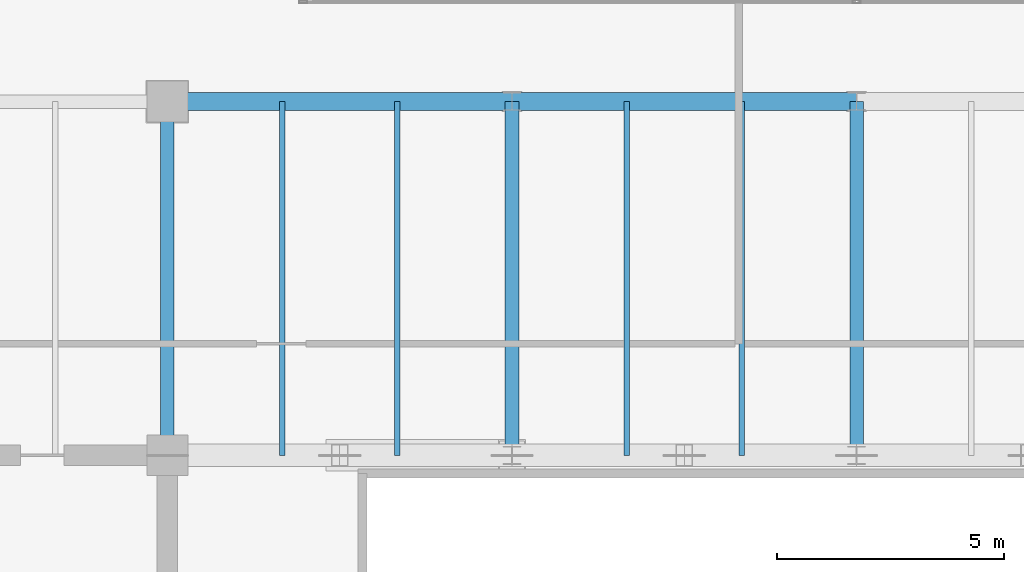
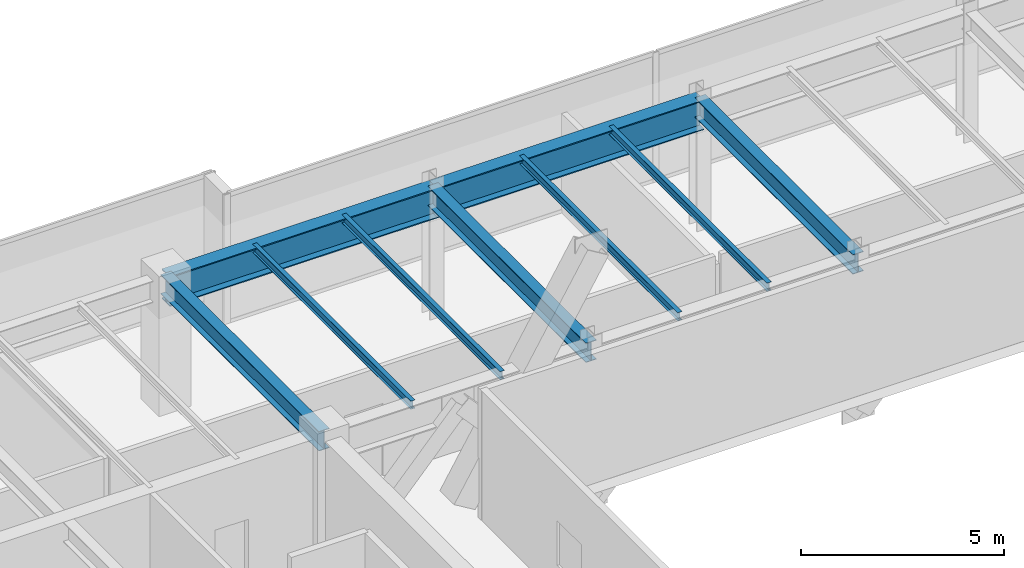
# One storey, part 20 of 32: 9 beams.
"""IFC4 building model written with IfcOpenShell, lengths in metres."""

from ifc_helpers import new_model, si_unit, direction, frame, origin, origin_2d, place, context, subcontext, project, spatial, i_section, extrude, source, transform, mapped, material, material_profile, profile_set, type_object, type_shapes, element, save


model = new_model("IFC4")

# Units and contexts
model_context = context("Model", 3, precision=1e-05, world=origin(), true_north=direction((0.0, 1.0)))
body_context = subcontext(model_context, "Body", "Model", "MODEL_VIEW")
ifc_project = project(units=[si_unit("LENGTHUNIT", "METRE"), si_unit("AREAUNIT", "SQUARE_METRE"), si_unit("VOLUMEUNIT", "CUBIC_METRE"), si_unit("PLANEANGLEUNIT", "RADIAN"), si_unit("MASSUNIT", "GRAM", prefix="KILO")], contexts=[model_context])

# Site, building, storey
site_placement = place(None, origin())
site = spatial("IfcSite", under=ifc_project, at=site_placement, CompositionType="ELEMENT")
building_placement = place(site_placement, origin())
building = spatial("IfcBuilding", under=site, at=building_placement, Name="Haelvirn Gate Laboratories", CompositionType="ELEMENT")
storey_placement = place(building_placement, frame((0.0, 0.0, 306.0)))
storey = spatial("IfcBuildingStorey", under=building, at=storey_placement, Name="L73", CompositionType="ELEMENT", Elevation=306.0)

# Beams
ifc_material_1 = material(Name="Steel SM420", Category="steel")
ifc_material_profile_1 = material_profile(ifc_material_1, i_section(OverallWidth=0.39990234375, OverallDepth=0.89990234375, WebThickness=0.01904296875, FlangeThickness=0.031982421875, at=origin_2d()), Name="H-900x400x19x32")
ifc_profile_set_1 = profile_set([ifc_material_profile_1], Name="Steel SM420")
beam_type_1 = type_object("IfcBeamType", Name="BM-TG-900", PredefinedType="BEAM", material=ifc_profile_set_1)
shared_shape_1 = source(origin(), body_context, "Body", "SweptSolid", [
    extrude(i_section(OverallWidth=0.39990234375, OverallDepth=0.89990234375, WebThickness=0.01904296875, FlangeThickness=0.031982421875, at=origin_2d()), origin(), (0.0, 0.0, 1.0), 7.60009765625),
])
beam_1_placement = place(storey_placement, frame((22.199951171875, 41.60009765625, 3.449951171875), z_axis=(1.0, 0.0, 0.0), x_axis=(0.0, 1.0, 0.0)))
element("IfcBeam", 1, at=beam_1_placement, inside=storey, type_object=beam_type_1, Name="L73 Primary Girder Y41.6 (22.2-29.8)", PredefinedType="BEAM", context=body_context, shape_type="MappedRepresentation", body=[
    mapped(shared_shape_1, transform((0.0, 0.0, 0.0), scale=1.0)),
])
shared_shape_2 = source(origin(), body_context, "Body", "SweptSolid", [
    extrude(i_section(OverallWidth=0.39990234375, OverallDepth=0.89990234375, WebThickness=0.01904296875, FlangeThickness=0.031982421875, at=origin_2d()), origin(), (0.0, 0.0, 1.0), 7.599853515625),
])
type_shapes(beam_type_1, [shared_shape_1, shared_shape_2])
beam_2_placement = place(storey_placement, frame((29.800048828125, 41.60009765625, 3.449951171875), z_axis=(1.0, 0.0, 0.0), x_axis=(0.0, 1.0, 0.0)))
element("IfcBeam", 2, at=beam_2_placement, inside=storey, type_object=beam_type_1, Name="L73 Primary Girder Y41.6 (29.8-37.4)", PredefinedType="BEAM", context=body_context, shape_type="MappedRepresentation", body=[
    mapped(shared_shape_2, transform((0.0, 0.0, 0.0), scale=1.0)),
])
ifc_material_2 = material(Name="Steel SM355", Category="steel")
ifc_material_profile_2 = material_profile(ifc_material_2, i_section(OverallWidth=0.300048828125, OverallDepth=0.587890625, WebThickness=0.011962890625, FlangeThickness=0.02001953125, at=origin_2d()), Name="H-588x300x12x20")
ifc_profile_set_2 = profile_set([ifc_material_profile_2], Name="Steel SM355")
beam_type_2 = type_object("IfcBeamType", Name="BM-G-588", PredefinedType="BEAM", material=ifc_profile_set_2)
shared_shape_3 = source(origin(), body_context, "Body", "SweptSolid", [
    extrude(i_section(OverallWidth=0.300048828125, OverallDepth=0.587890625, WebThickness=0.011962890625, FlangeThickness=0.02001953125, at=origin_2d()), origin(), (0.0, 0.0, 1.0), 7.800048828125),
])
type_shapes(beam_type_2, [shared_shape_3])
for number, where, z_axis, x_axis, name in (
    (3, (22.199951171875, 33.800048828125, 3.60595703125), (0.0, 1.0, 0.0), (-1.0, 0.0, 0.0), "L73 Frame Girder X22.2 (33.8-41.6)"),
    (4, (29.800048828125, 33.800048828125, 3.60595703125), (0.0, 1.0, 0.0), (-1.0, 0.0, 0.0), "L73 Frame Girder X29.8 (33.8-41.6)"),
    (5, (37.39990234375, 33.800048828125, 3.60595703125), (0.0, 1.0, 0.0), (-1.0, 0.0, 0.0), "L73 Frame Girder X37.4 (33.8-41.6)"),
):
    element("IfcBeam", number, at=place(storey_placement, frame(where, z_axis=z_axis, x_axis=x_axis)), inside=storey, type_object=beam_type_2, Name=name, PredefinedType="BEAM", context=body_context, shape_type="MappedRepresentation", body=[
        mapped(shared_shape_3, transform((0.0, 0.0, 0.0), scale=1.0)),
    ])
ifc_material_profile_3 = material_profile(ifc_material_2, i_section(OverallWidth=0.125, OverallDepth=0.25, WebThickness=0.006103515625, FlangeThickness=0.009033203125, at=origin_2d()), Name="H-250x125x6x9")
ifc_profile_set_3 = profile_set([ifc_material_profile_3], Name="Steel SM355")
beam_type_3 = type_object("IfcBeamType", Name="BM-J-250", PredefinedType="JOIST", material=ifc_profile_set_3)
shared_shape_4 = source(origin(), body_context, "Body", "SweptSolid", [
    extrude(i_section(OverallWidth=0.125, OverallDepth=0.25, WebThickness=0.006103515625, FlangeThickness=0.009033203125, at=origin_2d()), origin(), (0.0, 0.0, 1.0), 7.800048828125),
])
type_shapes(beam_type_3, [shared_shape_4])
for number, where, z_axis, x_axis, name in (
    (6, (24.72998046875, 33.800048828125, 3.77490234375), (0.0, 1.0, 0.0), (-1.0, 0.0, 0.0), "L73 Composite Lab Joist North X24.73"),
    (7, (27.27001953125, 33.800048828125, 3.77490234375), (0.0, 1.0, 0.0), (-1.0, 0.0, 0.0), "L73 Composite Lab Joist North X27.27"),
    (8, (32.330078125, 33.800048828125, 3.77490234375), (0.0, 1.0, 0.0), (-1.0, 0.0, 0.0), "L73 Composite Lab Joist North X32.33"),
    (9, (34.8701171875, 33.800048828125, 3.77490234375), (0.0, 1.0, 0.0), (-1.0, 0.0, 0.0), "L73 Composite Lab Joist North X34.87"),
):
    element("IfcBeam", number, at=place(storey_placement, frame(where, z_axis=z_axis, x_axis=x_axis)), inside=storey, type_object=beam_type_3, Name=name, PredefinedType="JOIST", context=body_context, shape_type="MappedRepresentation", body=[
        mapped(shared_shape_4, transform((0.0, 0.0, 0.0), scale=1.0)),
    ])

save(model, "model.ifc")
